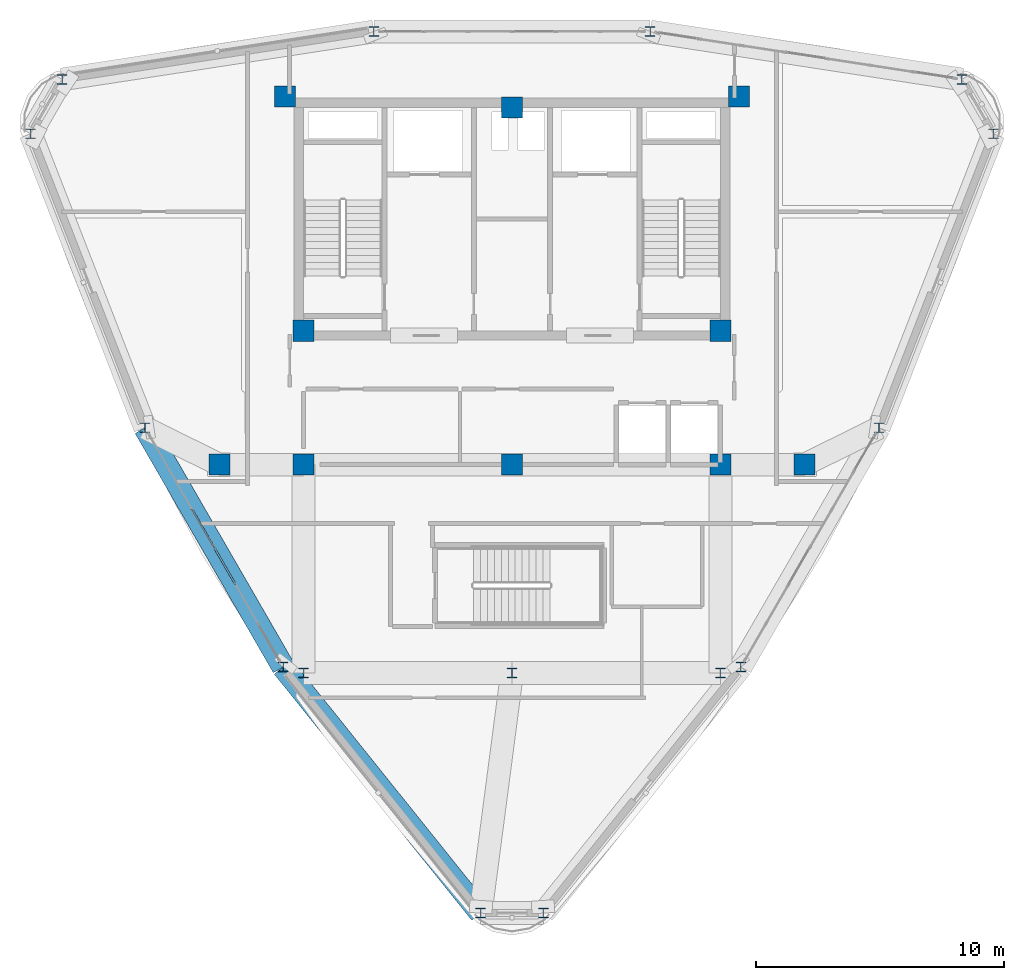
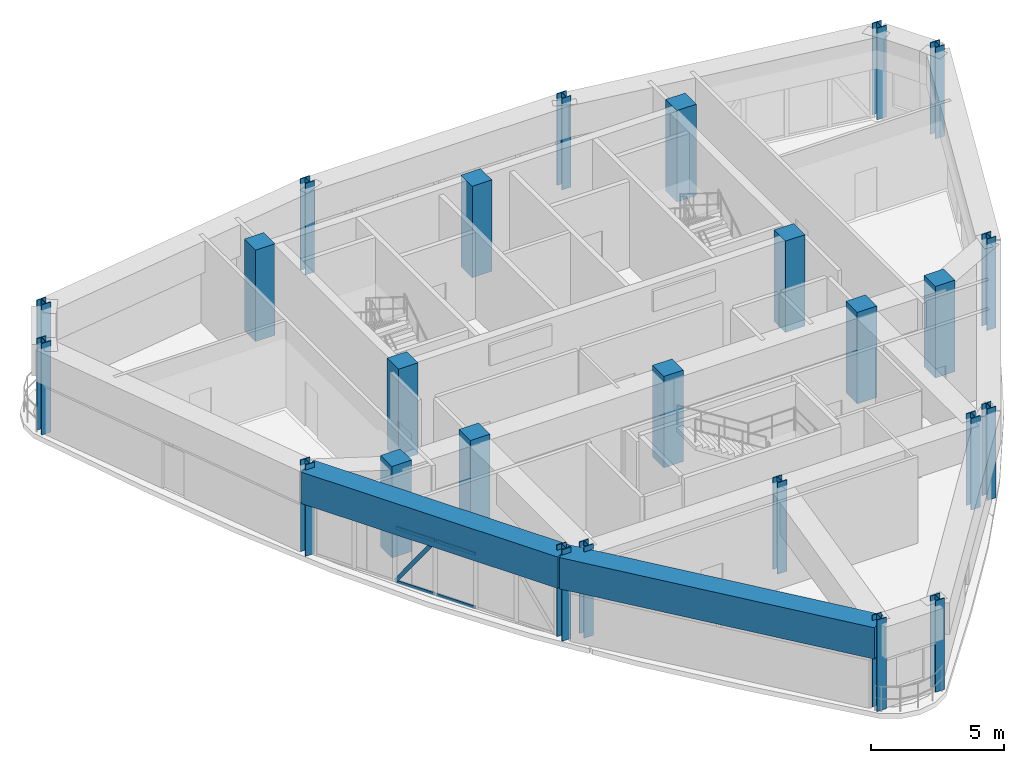
# One storey, part 1 of 17: 25 columns, 5 members, 2 beams, 1 element without a shape of its own.
"""IFC4 building model written with IfcOpenShell, lengths in metres."""

from ifc_helpers import new_model, si_unit, derived_unit, direction, frame, origin, origin_2d, place, context, subcontext, project, spatial, rectangle, hollow_rectangle, i_section, extrude, source, transform, mapped, material, layer, layer_set, material_profile, profile_set, type_object, element, aggregate, save


model = new_model("IFC4")

# Units and contexts
model_context = context("Model", 3, precision=1e-05, world=origin(), true_north=direction((0.0, 1.0)))
body_context = subcontext(model_context, "Body", "Model", "MODEL_VIEW")
ifc_project = project(units=[si_unit("LENGTHUNIT", "METRE"), si_unit("AREAUNIT", "SQUARE_METRE"), si_unit("VOLUMEUNIT", "CUBIC_METRE"), si_unit("PLANEANGLEUNIT", "RADIAN"), si_unit("MASSUNIT", "GRAM", prefix="KILO"), derived_unit("THERMALTRANSMITTANCEUNIT", [(si_unit("POWERUNIT", "WATT"), 1), (si_unit("LENGTHUNIT", "METRE"), -2), (si_unit("THERMODYNAMICTEMPERATUREUNIT", "KELVIN"), -1)])], contexts=[model_context])

# Site, building, storey
site_placement = place(None, origin())
site = spatial("IfcSite", under=ifc_project, at=site_placement, CompositionType="ELEMENT")
building_placement = place(site_placement, origin())
building = spatial("IfcBuilding", under=site, at=building_placement, Name="Korsvarv Bourse and Concert Hall", CompositionType="ELEMENT")
storey_placement = place(building_placement, frame((0.0, 0.0, 279.60009765625)))
storey = spatial("IfcBuildingStorey", under=building, at=storey_placement, Name="L73", CompositionType="ELEMENT", Elevation=279.60009765625)

# Columns
ifc_material_1 = material(Name="Concrete C50/60", Category="concrete")
ifc_material_profile_1 = material_profile(ifc_material_1, rectangle(XDim=0.85009765625, YDim=0.85009765625, at=origin_2d()), Name="RC 850x850")
ifc_profile_set_1 = profile_set([ifc_material_profile_1], Name="Concrete C50/60")
column_type_1 = type_object("IfcColumnType", Name="COL-RC850", PredefinedType="COLUMN", material=ifc_profile_set_1)
shared_shape_1 = source(origin(), body_context, "Body", "SweptSolid", [
    extrude(rectangle(XDim=0.85009765625, YDim=0.85009765625, at=origin_2d()), origin(), (0.0, 0.0, 1.0), 4.199951171875),
])
for number, where, z_axis, x_axis, name in (
    (1, (26.85009765625, 47.25, 0.0), (0.0, 0.0, 1.0), (1.0, 0.0, 0.0), "L73 column C-04"),
    (2, (45.14990234375, 47.25, 0.0), (0.0, 0.0, 1.0), (1.0, 0.0, 0.0), "L73 column C-04"),
    (3, (27.60009765625, 37.800048828125, 0.0), (0.0, 0.0, 1.0), (1.0, 0.0, 0.0), "L73 column C-04"),
    (4, (44.39990234375, 37.800048828125, 0.0), (0.0, 0.0, 1.0), (1.0, 0.0, 0.0), "L73 column C-04"),
    (5, (27.60009765625, 32.39990234375, 0.0), (0.0, 0.0, 1.0), (1.0, 0.0, 0.0), "L73 column C-04"),
    (6, (44.39990234375, 32.39990234375, 0.0), (0.0, 0.0, 1.0), (1.0, 0.0, 0.0), "L73 column C-04"),
    (7, (36.0, 46.800048828125, 0.0), (0.0, 0.0, 1.0), (1.0, 0.0, 0.0), "L73 column C-04"),
    (8, (36.0, 32.39990234375, 0.0), (0.0, 0.0, 1.0), (1.0, 0.0, 0.0), "L73 column C-04"),
    (9, (24.199951171875, 32.39990234375, 0.0), (0.0, 0.0, 1.0), (1.0, 0.0, 0.0), "L73 column C-04"),
    (10, (47.800048828125, 32.39990234375, 0.0), (0.0, 0.0, 1.0), (1.0, 0.0, 0.0), "L73 column C-04"),
):
    element("IfcColumn", number, at=place(storey_placement, frame(where, z_axis=z_axis, x_axis=x_axis)), inside=storey, type_object=column_type_1, Name=name, PredefinedType="COLUMN", context=body_context, shape_type="MappedRepresentation", body=[
        mapped(shared_shape_1, transform((0.0, 0.0, 0.0), scale=1.0)),
    ])
ifc_material_2 = material(Name="Steel S355", Category="steel")
ifc_material_profile_2 = material_profile(ifc_material_2, i_section(OverallWidth=0.40087890625, OverallDepth=0.39892578125, WebThickness=0.0224609375, FlangeThickness=0.035888671875, FilletRadius=0.014892578125, at=origin_2d()), Name="HD 400x314")
ifc_profile_set_2 = profile_set([ifc_material_profile_2], Name="Steel S355")
column_type_2 = type_object("IfcColumnType", Name="COL-HD314", PredefinedType="COLUMN", material=ifc_profile_set_2)
shared_shape_2 = source(origin(), body_context, "Body", "SweptSolid", [
    extrude(i_section(OverallWidth=0.40087890625, OverallDepth=0.39892578125, WebThickness=0.0224609375, FlangeThickness=0.035888671875, FilletRadius=0.014892578125, at=origin_2d()), origin(), (0.0, 0.0, 1.0), 4.199951171875),
])
for number, where, z_axis, x_axis, name in (
    (11, (27.60009765625, 24.0, 0.0), (0.0, 0.0, 1.0), (1.0, 0.0, 0.0), "L73 column C-11"),
    (12, (44.39990234375, 24.0, 0.0), (0.0, 0.0, 1.0), (1.0, 0.0, 0.0), "L73 column C-11"),
    (13, (36.0, 24.0, 0.0), (0.0, 0.0, 1.0), (1.0, 0.0, 0.0), "L73 column C-11"),
    (14, (55.406005859375, 45.740966796875, 0.0), (0.0, 0.0, 1.0), (1.0, 0.0, 0.0), "L73 column C-11"),
    (15, (54.138916015625, 47.935791015625, 0.0), (0.0, 0.0, 1.0), (1.0, 0.0, 0.0), "L73 column C-11"),
    (16, (41.569580078125, 49.867919921875, 0.0), (0.0, 0.0, 1.0), (1.0, 0.0, 0.0), "L73 column C-11"),
    (17, (30.430419921875, 49.867919921875, 0.0), (0.0, 0.0, 1.0), (1.0, 0.0, 0.0), "L73 column C-11"),
    (18, (17.861083984375, 47.935791015625, 0.0), (0.0, 0.0, 1.0), (1.0, 0.0, 0.0), "L73 column C-11"),
    (19, (16.593994140625, 45.740966796875, 0.0), (0.0, 0.0, 1.0), (1.0, 0.0, 0.0), "L73 column C-11"),
    (20, (21.205322265625, 33.889404296875, 0.0), (0.0, 0.0, 1.0), (1.0, 0.0, 0.0), "L73 column C-11"),
    (21, (26.77490234375, 24.24267578125, 0.0), (0.0, 0.0, 1.0), (1.0, 0.0, 0.0), "L73 column C-11"),
    (22, (34.73291015625, 14.323486328125, 0.0), (0.0, 0.0, 1.0), (1.0, 0.0, 0.0), "L73 column C-11"),
    (23, (37.26708984375, 14.323486328125, 0.0), (0.0, 0.0, 1.0), (1.0, 0.0, 0.0), "L73 column C-11"),
    (24, (45.22509765625, 24.24267578125, 0.0), (0.0, 0.0, 1.0), (1.0, 0.0, 0.0), "L73 column C-11"),
    (25, (50.794677734375, 33.889404296875, 0.0), (0.0, 0.0, 1.0), (1.0, 0.0, 0.0), "L73 column C-11"),
):
    element("IfcColumn", number, at=place(storey_placement, frame(where, z_axis=z_axis, x_axis=x_axis)), inside=storey, type_object=column_type_2, Name=name, PredefinedType="COLUMN", context=body_context, shape_type="MappedRepresentation", body=[
        mapped(shared_shape_2, transform((0.0, 0.0, 0.0), scale=1.0)),
    ])

# Beams
ifc_material_profile_3 = material_profile(ifc_material_1, rectangle(XDim=0.919921875, YDim=1.43994140625, at=origin_2d()), Name="RC-BM 920x1440")
ifc_profile_set_3 = profile_set([ifc_material_profile_3], Name="Concrete C50/60")
beam_type = type_object("IfcBeamType", Name="BM-TR-144", PredefinedType="BEAM", material=ifc_profile_set_3)
shared_shape_3 = source(origin(), body_context, "Body", "SweptSolid", [
    extrude(rectangle(XDim=0.919921875, YDim=1.43994140625, at=origin_2d()), origin(), (0.0, 0.0, 1.0), 12.717041015625),
])
beam_1_placement = place(storey_placement, frame((26.77490234375, 24.24267578125, 3.239990234375), z_axis=(0.625780773695, -0.779998989277, 0.0), x_axis=(0.779998989277, 0.625780773695, 0.0)))
element("IfcBeam", 26, at=beam_1_placement, inside=storey, type_object=beam_type, Name="L73 beam B-TR4", PredefinedType="BEAM", context=body_context, shape_type="MappedRepresentation", body=[
    mapped(shared_shape_3, transform((0.0, 0.0, 0.0), scale=1.0)),
])
shared_shape_4 = source(origin(), body_context, "Body", "SweptSolid", [
    extrude(rectangle(XDim=0.919921875, YDim=1.43994140625, at=origin_2d()), origin(), (0.0, 0.0, 1.0), 11.13916015625),
])
beam_2_placement = place(storey_placement, frame((21.205322265625, 33.889404296875, 3.239990234375), z_axis=(0.500002610587, -0.866023896556, 0.0), x_axis=(0.866023896556, 0.500002610587, 0.0)))
element("IfcBeam", 27, at=beam_2_placement, inside=storey, type_object=beam_type, Name="L73 beam B-TR4", PredefinedType="BEAM", context=body_context, shape_type="MappedRepresentation", body=[
    mapped(shared_shape_4, transform((0.0, 0.0, 0.0), scale=1.0)),
])

# Curtain wall, members
ifc_material_3 = material(Name="Anodised aluminium and triple low-E glazing", Category="glass")
ifc_layer = layer(ifc_material_3, 0.18994140625)
ifc_layer_set = layer_set([ifc_layer], Name="Anodised aluminium and triple low-E glazing")
curtain_wall_type = type_object("IfcCurtainWallType", Name="CW-SYS-4", PredefinedType="NOTDEFINED", material=ifc_layer_set)
curtain_wall_placement = place(storey_placement, origin())
curtain_wall = element("IfcCurtainWall", 28, at=curtain_wall_placement, inside=storey, type_object=curtain_wall_type, Name="L73 CW4 curtain wall CW-L73-F07", PredefinedType="NOTDEFINED")
ifc_material_4 = material(Name="Extruded aluminium EN AW-6063 T66", Category="aluminium")
ifc_material_profile_4 = material_profile(ifc_material_4, hollow_rectangle(XDim=0.06494140625, YDim=0.139892578125, WallThickness=0.00390625, at=origin_2d()), Name="ALU-T 65x140")
ifc_profile_set_4 = profile_set([ifc_material_profile_4], Name="Extruded aluminium EN AW-6063 T66")
member_type_1 = type_object("IfcMemberType", Name="CWT-140", PredefinedType="USERDEFINED", material=ifc_profile_set_4)
shared_shape_5 = source(origin(), body_context, "Body", "SweptSolid", [
    extrude(hollow_rectangle(XDim=0.06494140625, YDim=0.139892578125, WallThickness=0.00390625, at=origin_2d()), origin(), (0.0, 0.0, 1.0), 1.6904296875),
])
member_1_placement = place(storey_placement, frame((23.12744140625, 30.560302734375, 0.032470703125), z_axis=(0.500022507987, -0.866012408402, 0.0), x_axis=(0.866012408402, 0.500022507987, 0.0)))
member_1 = element("IfcMember", 29, at=member_1_placement, type_object=member_type_1, Name="CW4 transom 3.1", ObjectType="TRANSOM", PredefinedType="USERDEFINED", context=body_context, shape_type="MappedRepresentation", body=[
    mapped(shared_shape_5, transform((0.0, 0.0, 0.0), scale=1.0)),
])
member_2_placement = place(storey_placement, frame((23.12744140625, 30.560302734375, 2.4873046875), z_axis=(0.500022507987, -0.866012408402, 0.0), x_axis=(0.866012408402, 0.500022507987, 0.0)))
member_2 = element("IfcMember", 30, at=member_2_placement, type_object=member_type_1, Name="CW4 transom 3.2", ObjectType="TRANSOM", PredefinedType="USERDEFINED", context=body_context, shape_type="MappedRepresentation", body=[
    mapped(shared_shape_5, transform((0.0, 0.0, 0.0), scale=1.0)),
])
member_3_placement = place(storey_placement, frame((24.007568359375, 29.03564453125, 0.032470703125), z_axis=(0.500022507987, -0.866012408402, 0.0), x_axis=(0.866012408402, 0.500022507987, 0.0)))
member_3 = element("IfcMember", 31, at=member_3_placement, type_object=member_type_1, Name="CW4 transom 4.1", ObjectType="TRANSOM", PredefinedType="USERDEFINED", context=body_context, shape_type="MappedRepresentation", body=[
    mapped(shared_shape_5, transform((0.0, 0.0, 0.0), scale=1.0)),
])
member_4_placement = place(storey_placement, frame((24.007568359375, 29.03564453125, 2.4873046875), z_axis=(0.500022507987, -0.866012408402, 0.0), x_axis=(0.866012408402, 0.500022507987, 0.0)))
member_4 = element("IfcMember", 32, at=member_4_placement, type_object=member_type_1, Name="CW4 transom 4.2", ObjectType="TRANSOM", PredefinedType="USERDEFINED", context=body_context, shape_type="MappedRepresentation", body=[
    mapped(shared_shape_5, transform((0.0, 0.0, 0.0), scale=1.0)),
])
ifc_material_profile_5 = material_profile(ifc_material_4, hollow_rectangle(XDim=0.06494140625, YDim=0.1650390625, WallThickness=0.0048828125, at=origin_2d()), Name="ALU-M 65x165")
ifc_profile_set_5 = profile_set([ifc_material_profile_5], Name="Extruded aluminium EN AW-6063 T66")
member_type_2 = type_object("IfcMemberType", Name="CWM-165", PredefinedType="MULLION", material=ifc_profile_set_5)
shared_shape_6 = source(origin(), body_context, "Body", "SweptSolid", [
    extrude(hollow_rectangle(XDim=0.06494140625, YDim=0.1650390625, WallThickness=0.0048828125, at=origin_2d()), origin(), (0.0, 0.0, 1.0), 2.92724609375),
])
member_5_placement = place(storey_placement, frame((23.12744140625, 30.560302734375, 0.06494140625), z_axis=(0.288738728215, -0.500080131248, 0.816425017476), x_axis=(0.866012408402, 0.500022507987, 0.0)))
member_5 = element("IfcMember", 33, at=member_5_placement, type_object=member_type_2, Name="CW4 diagonal mullion 3", PredefinedType="MULLION", context=body_context, shape_type="MappedRepresentation", body=[
    mapped(shared_shape_6, transform((0.0, 0.0, 0.0), scale=1.0)),
])
aggregate(curtain_wall, [member_1, member_2, member_5, member_3, member_4])

save(model, "model.ifc")
